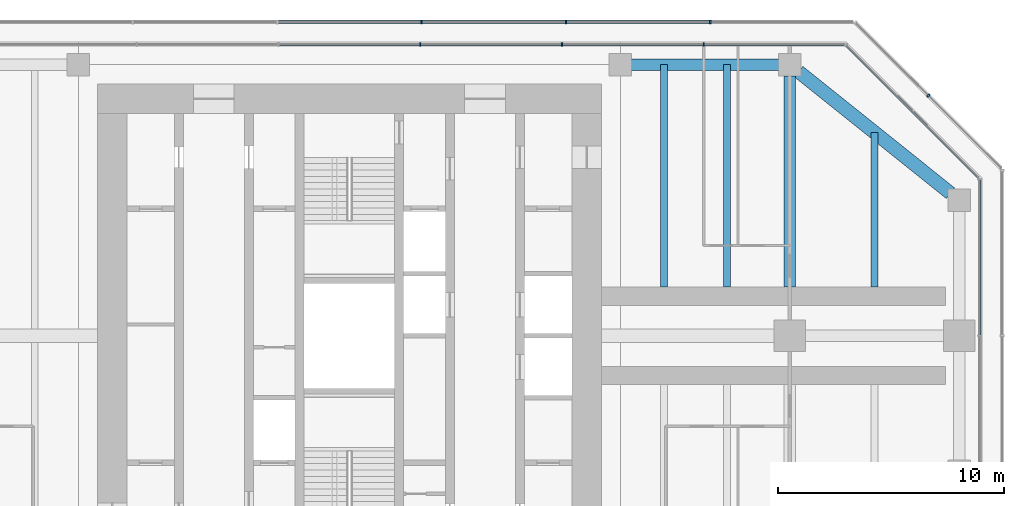
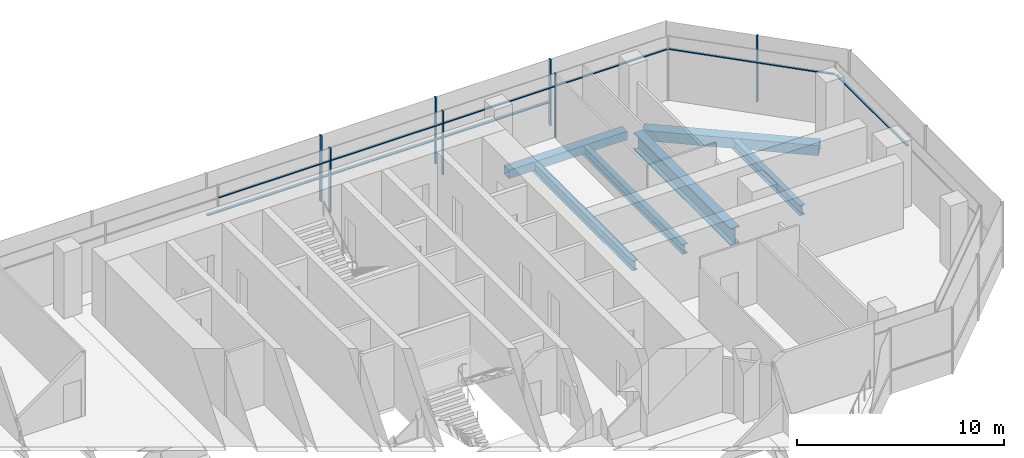
# One storey, part 7 of 16: 16 members, 6 beams, 5 elements without a shape of their own.
"""IFC4 building model written with IfcOpenShell, lengths in metres."""

from ifc_helpers import new_model, si_unit, direction, frame, origin, origin_2d, place, context, subcontext, project, spatial, rectangle, hollow_rectangle, i_section, extrude, material, material_profile, profile_set, type_object, element, aggregate, save


model = new_model("IFC4")

# Units and contexts
model_context = context("Model", 3, precision=1e-05, world=origin(), true_north=direction((0.0, 1.0)))
body_context = subcontext(model_context, "Body", "Model", "MODEL_VIEW")
ifc_project = project(units=[si_unit("LENGTHUNIT", "METRE"), si_unit("AREAUNIT", "SQUARE_METRE"), si_unit("VOLUMEUNIT", "CUBIC_METRE"), si_unit("PLANEANGLEUNIT", "RADIAN"), si_unit("MASSUNIT", "GRAM", prefix="KILO")], contexts=[model_context])

# Site, building, storey
site_placement = place(None, origin())
site = spatial("IfcSite", under=ifc_project, at=site_placement, CompositionType="ELEMENT")
building_placement = place(site_placement, origin())
building = spatial("IfcBuilding", under=site, at=building_placement, Name="Mizan Broadcast Tower", CompositionType="ELEMENT")
storey_placement = place(building_placement, frame((0.0, 0.0, 290.699951171875)))
storey = spatial("IfcBuildingStorey", under=building, at=storey_placement, Name="L69", CompositionType="ELEMENT", Elevation=290.699951171875)

# Beams
ifc_material_1 = material(Name="Steel S355", Category="steel")
ifc_material_profile_1 = material_profile(ifc_material_1, hollow_rectangle(XDim=0.5, YDim=0.5, WallThickness=0.030029296875, at=origin_2d()), Name="BOX 500x500x30")
ifc_profile_set_1 = profile_set([ifc_material_profile_1], Name="Steel S355")
beam_type_1 = type_object("IfcBeamType", Name="EDGE BEAM BOX 500x500x30", PredefinedType="SPANDREL", material=ifc_profile_set_1)
beam_1_placement = place(storey_placement, frame((12.449951171875, 12.0, -0.3798828125), z_axis=(1.0, 0.0, 0.0), x_axis=(0.0, 1.0, 0.0)))
element("IfcBeam", 1, at=beam_1_placement, inside=storey, type_object=beam_type_1, Name="Edge beam BOX 500x500x30 L69 east arm", PredefinedType="SPANDREL", context=body_context, shape_type="SweptSolid", body=[
    extrude(hollow_rectangle(XDim=0.5, YDim=0.5, WallThickness=0.030029296875, at=origin_2d()), origin(), (0.0, 0.0, 1.0), 6.60009765625),
])
ifc_material_2 = material(Name="Steel S355", Category="steel")
ifc_material_profile_2 = material_profile(ifc_material_2, hollow_rectangle(XDim=0.60009765625, YDim=0.60009765625, WallThickness=0.030029296875, at=origin_2d()), Name="BOX 600x600x30")
ifc_profile_set_2 = profile_set([ifc_material_profile_2], Name="Steel S355")
beam_type_2 = type_object("IfcBeamType", Name="EDGE BEAM BOX 600x600x30", PredefinedType="SPANDREL", material=ifc_profile_set_2)
beam_2_placement = place(storey_placement, frame((19.890380859375, 11.687744140625, -0.429931640625), z_axis=(0.780863273348, -0.62470196761, 0.0), x_axis=(0.62470196761, 0.780863273348, 0.0)))
element("IfcBeam", 2, at=beam_2_placement, inside=storey, type_object=beam_type_2, Name="Edge beam BOX 600x600x30 L69 east arm", PredefinedType="SPANDREL", context=body_context, shape_type="SweptSolid", body=[
    extrude(hollow_rectangle(XDim=0.60009765625, YDim=0.60009765625, WallThickness=0.030029296875, at=origin_2d()), origin(), (0.0, 0.0, 1.0), 8.60498046875),
])
ifc_material_3 = material(Name="Steel S460", Category="steel")
ifc_material_profile_3 = material_profile(ifc_material_3, i_section(OverallWidth=0.5, OverallDepth=1.0, WebThickness=0.02490234375, FlangeThickness=0.050048828125, at=origin_2d()), Name="WPG 1000x500")
ifc_profile_set_3 = profile_set([ifc_material_profile_3], Name="Steel S460")
beam_type_3 = type_object("IfcBeamType", Name="GIRDER WPG 1000x500", PredefinedType="BEAM", material=ifc_profile_set_3)
beam_3_placement = place(storey_placement, frame((19.5, 11.5, -0.6298828125), z_axis=(0.0, -1.0, 0.0), x_axis=(1.0, 0.0, 0.0)))
element("IfcBeam", 3, at=beam_3_placement, inside=storey, type_object=beam_type_3, Name="Girder WPG 1000x500 L69 east arm", PredefinedType="BEAM", context=body_context, shape_type="SweptSolid", body=[
    extrude(i_section(OverallWidth=0.5, OverallDepth=1.0, WebThickness=0.02490234375, FlangeThickness=0.050048828125, at=origin_2d()), origin(), (0.0, 0.0, 1.0), 9.35009765625),
])

# Curtain wall, members
ifc_material_4 = material(Name="Aluminium framed glazing", Category="aluminium")
curtain_wall_type_1 = type_object("IfcCurtainWallType", Name="INNER SKIN TOP ZONE", PredefinedType="USERDEFINED", material=ifc_material_4)
curtain_wall_1_placement = place(storey_placement, origin())
curtain_wall_1 = element("IfcCurtainWall", 4, at=curtain_wall_1_placement, inside=storey, type_object=curtain_wall_type_1, Name="Inner skin top zone L69 N end", ObjectType="INNER SKIN TOP ZONE", PredefinedType="USERDEFINED")
ifc_material_5 = material(Name="Aluminium, pale anodised", Category="aluminium")
ifc_material_profile_4 = material_profile(ifc_material_5, rectangle(XDim=0.159912109375, YDim=0.06005859375, at=origin_2d()), Name="MULLION 160x60")
ifc_profile_set_4 = profile_set([ifc_material_profile_4], Name="Aluminium, pale anodised")
member_type_1 = type_object("IfcMemberType", Name="INNER SKIN MULLION 60x160", PredefinedType="MULLION", material=ifc_profile_set_4)
member_1_placement = place(storey_placement, frame((15.684814453125, 12.89990234375, 0.0), z_axis=(0.0, 0.0, 1.0), x_axis=(0.0, -1.0, 0.0)))
member_1 = element("IfcMember", 5, at=member_1_placement, type_object=member_type_1, Name="Inner skin top zone L69 N end mullion 2", PredefinedType="MULLION", context=body_context, shape_type="SweptSolid", body=[
    extrude(rectangle(XDim=0.159912109375, YDim=0.06005859375, at=origin_2d()), origin(), (0.0, 0.0, 1.0), 3.77001953125),
])
member_2_placement = place(storey_placement, frame((9.410888671875, 12.89990234375, 0.0), z_axis=(0.0, 0.0, 1.0), x_axis=(0.0, -1.0, 0.0)))
member_2 = element("IfcMember", 6, at=member_2_placement, type_object=member_type_1, Name="Inner skin top zone L69 N end mullion 3", PredefinedType="MULLION", context=body_context, shape_type="SweptSolid", body=[
    extrude(rectangle(XDim=0.159912109375, YDim=0.06005859375, at=origin_2d()), origin(), (0.0, 0.0, 1.0), 3.77001953125),
])
member_3_placement = place(storey_placement, frame((3.136962890625, 12.89990234375, 0.0), z_axis=(0.0, 0.0, 1.0), x_axis=(0.0, -1.0, 0.0)))
member_3 = element("IfcMember", 7, at=member_3_placement, type_object=member_type_1, Name="Inner skin top zone L69 N end mullion 4", PredefinedType="MULLION", context=body_context, shape_type="SweptSolid", body=[
    extrude(rectangle(XDim=0.159912109375, YDim=0.06005859375, at=origin_2d()), origin(), (0.0, 0.0, 1.0), 3.77001953125),
])

# Curtain wall, member
curtain_wall_2_placement = place(storey_placement, origin())
curtain_wall_2 = element("IfcCurtainWall", 8, at=curtain_wall_2_placement, inside=storey, type_object=curtain_wall_type_1, Name="Inner skin top zone L69 E end", ObjectType="INNER SKIN TOP ZONE", PredefinedType="USERDEFINED")
ifc_material_6 = material(Name="Aluminium, pale anodised", Category="aluminium")
ifc_material_profile_5 = material_profile(ifc_material_6, rectangle(XDim=0.1201171875, YDim=0.06005859375, at=origin_2d()), Name="TRANSOM 120x60")
ifc_profile_set_5 = profile_set([ifc_material_profile_5], Name="Aluminium, pale anodised")
member_type_2 = type_object("IfcMemberType", Name="INNER SKIN TRANSOM 60x120", PredefinedType="USERDEFINED", material=ifc_profile_set_5)
member_4_placement = place(storey_placement, frame((27.89990234375, 0.030029296875, 3.030029296875), z_axis=(0.0, 1.0, 0.0), x_axis=(-1.0, 0.0, 0.0)))
member_4 = element("IfcMember", 9, at=member_4_placement, type_object=member_type_2, Name="Inner skin top zone L69 E end transom 2.1", ObjectType="TRANSOM", PredefinedType="USERDEFINED", context=body_context, shape_type="SweptSolid", body=[
    extrude(rectangle(XDim=0.1201171875, YDim=0.06005859375, at=origin_2d()), origin(), (0.0, 0.0, 1.0), 6.86865234375),
])
aggregate(curtain_wall_2, [member_4])

curtain_wall_3_placement = place(storey_placement, origin())
curtain_wall_3 = element("IfcCurtainWall", 10, at=curtain_wall_3_placement, inside=storey, type_object=curtain_wall_type_1, Name="Inner skin top zone L69 E chamfer", ObjectType="INNER SKIN TOP ZONE", PredefinedType="USERDEFINED")
member_5_placement = place(storey_placement, frame((27.857666015625, 7.0009765625, 3.030029296875), z_axis=(-0.707106781187, 0.707106781187, 0.0), x_axis=(-0.707106781187, -0.707106781187, 0.0)))
member_5 = element("IfcMember", 11, at=member_5_placement, type_object=member_type_2, Name="Inner skin top zone L69 E chamfer transom 1.1", ObjectType="TRANSOM", PredefinedType="USERDEFINED", context=body_context, shape_type="SweptSolid", body=[
    extrude(rectangle(XDim=0.1201171875, YDim=0.06005859375, at=origin_2d()), origin(), (0.0, 0.0, 1.0), 8.28271484375),
])
aggregate(curtain_wall_3, [member_5])

# Member
member_6_placement = place(storey_placement, frame((21.898681640625, 12.89990234375, 3.030029296875), z_axis=(-1.0, 0.0, 0.0), x_axis=(0.0, -1.0, 0.0)))
member_6 = element("IfcMember", 12, at=member_6_placement, type_object=member_type_2, Name="Inner skin top zone L69 N end transom 1.1", ObjectType="TRANSOM", PredefinedType="USERDEFINED", context=body_context, shape_type="SweptSolid", body=[
    extrude(rectangle(XDim=0.1201171875, YDim=0.06005859375, at=origin_2d()), origin(), (0.0, 0.0, 1.0), 6.18408203125),
])

member_7_placement = place(storey_placement, frame((15.65478515625, 12.89990234375, 3.030029296875), z_axis=(-1.0, 0.0, 0.0), x_axis=(0.0, -1.0, 0.0)))
member_7 = element("IfcMember", 13, at=member_7_placement, type_object=member_type_2, Name="Inner skin top zone L69 N end transom 2.1", ObjectType="TRANSOM", PredefinedType="USERDEFINED", context=body_context, shape_type="SweptSolid", body=[
    extrude(rectangle(XDim=0.1201171875, YDim=0.06005859375, at=origin_2d()), origin(), (0.0, 0.0, 1.0), 6.2138671875),
])

member_8_placement = place(storey_placement, frame((9.380859375, 12.89990234375, 3.030029296875), z_axis=(-1.0, 0.0, 0.0), x_axis=(0.0, -1.0, 0.0)))
member_8 = element("IfcMember", 14, at=member_8_placement, type_object=member_type_2, Name="Inner skin top zone L69 N end transom 3.1", ObjectType="TRANSOM", PredefinedType="USERDEFINED", context=body_context, shape_type="SweptSolid", body=[
    extrude(rectangle(XDim=0.1201171875, YDim=0.06005859375, at=origin_2d()), origin(), (0.0, 0.0, 1.0), 6.2138671875),
])

member_9_placement = place(storey_placement, frame((3.10693359375, 12.89990234375, 3.030029296875), z_axis=(-1.0, 0.0, 0.0), x_axis=(0.0, -1.0, 0.0)))
member_9 = element("IfcMember", 15, at=member_9_placement, type_object=member_type_2, Name="Inner skin top zone L69 N end transom 4.1", ObjectType="TRANSOM", PredefinedType="USERDEFINED", context=body_context, shape_type="SweptSolid", body=[
    extrude(rectangle(XDim=0.1201171875, YDim=0.06005859375, at=origin_2d()), origin(), (0.0, 0.0, 1.0), 6.2138671875),
])

aggregate(curtain_wall_1, [member_1, member_2, member_3, member_6, member_7, member_8, member_9])

# Curtain wall, member
ifc_material_7 = material(Name="Aluminium framed glazing", Category="aluminium")
curtain_wall_type_2 = type_object("IfcCurtainWallType", Name="OUTER SKIN", PredefinedType="USERDEFINED", material=ifc_material_7)
curtain_wall_4_placement = place(storey_placement, origin())
curtain_wall_4 = element("IfcCurtainWall", 16, at=curtain_wall_4_placement, inside=storey, type_object=curtain_wall_type_2, Name="Outer skin L69 E chamfer", ObjectType="OUTER SKIN", PredefinedType="USERDEFINED")
ifc_material_8 = material(Name="Aluminium, pale anodised", Category="aluminium")
ifc_material_profile_6 = material_profile(ifc_material_8, rectangle(XDim=0.159912109375, YDim=0.080078125, at=origin_2d()), Name="MULLION 160x80")
ifc_profile_set_6 = profile_set([ifc_material_profile_6], Name="Aluminium, pale anodised")
member_type_3 = type_object("IfcMemberType", Name="OUTER SKIN MULLION 80x160", PredefinedType="MULLION", material=ifc_profile_set_6)
member_10_placement = place(storey_placement, frame((25.636474609375, 10.636474609375, 0.0), z_axis=(0.0, 0.0, 1.0), x_axis=(-0.707106781187, -0.707106781187, 0.0)))
member_10 = element("IfcMember", 17, at=member_10_placement, type_object=member_type_3, Name="Outer skin L69 E chamfer mullion 2", PredefinedType="MULLION", context=body_context, shape_type="SweptSolid", body=[
    extrude(rectangle(XDim=0.159912109375, YDim=0.080078125, at=origin_2d()), origin(), (0.0, 0.0, 1.0), 3.900146484375),
])
aggregate(curtain_wall_4, [member_10])

# Curtain wall, members
curtain_wall_5_placement = place(storey_placement, origin())
curtain_wall_5 = element("IfcCurtainWall", 18, at=curtain_wall_5_placement, inside=storey, type_object=curtain_wall_type_2, Name="Outer skin L69 N end", ObjectType="OUTER SKIN", PredefinedType="USERDEFINED")
member_11_placement = place(storey_placement, frame((15.98046875, 13.89990234375, 0.0), z_axis=(0.0, 0.0, 1.0), x_axis=(0.0, -1.0, 0.0)))
member_11 = element("IfcMember", 19, at=member_11_placement, type_object=member_type_3, Name="Outer skin L69 N end mullion 2", PredefinedType="MULLION", context=body_context, shape_type="SweptSolid", body=[
    extrude(rectangle(XDim=0.159912109375, YDim=0.080078125, at=origin_2d()), origin(), (0.0, 0.0, 1.0), 3.900146484375),
])
member_12_placement = place(storey_placement, frame((9.58837890625, 13.89990234375, 0.0), z_axis=(0.0, 0.0, 1.0), x_axis=(0.0, -1.0, 0.0)))
member_12 = element("IfcMember", 20, at=member_12_placement, type_object=member_type_3, Name="Outer skin L69 N end mullion 3", PredefinedType="MULLION", context=body_context, shape_type="SweptSolid", body=[
    extrude(rectangle(XDim=0.159912109375, YDim=0.080078125, at=origin_2d()), origin(), (0.0, 0.0, 1.0), 3.900146484375),
])
member_13_placement = place(storey_placement, frame((3.196044921875, 13.89990234375, 0.0), z_axis=(0.0, 0.0, 1.0), x_axis=(0.0, -1.0, 0.0)))
member_13 = element("IfcMember", 21, at=member_13_placement, type_object=member_type_3, Name="Outer skin L69 N end mullion 4", PredefinedType="MULLION", context=body_context, shape_type="SweptSolid", body=[
    extrude(rectangle(XDim=0.159912109375, YDim=0.080078125, at=origin_2d()), origin(), (0.0, 0.0, 1.0), 3.900146484375),
])
ifc_material_9 = material(Name="Aluminium, pale anodised", Category="aluminium")
ifc_material_profile_7 = material_profile(ifc_material_9, rectangle(XDim=0.159912109375, YDim=0.06005859375, at=origin_2d()), Name="TRANSOM 160x60")
ifc_profile_set_7 = profile_set([ifc_material_profile_7], Name="Aluminium, pale anodised")
member_type_4 = type_object("IfcMemberType", Name="OUTER SKIN TRANSOM 60x160", PredefinedType="USERDEFINED", material=ifc_profile_set_7)
member_14_placement = place(storey_placement, frame((15.940673828125, 13.89990234375, 1.400146484375), z_axis=(-1.0, 0.0, 0.0), x_axis=(0.0, -1.0, 0.0)))
member_14 = element("IfcMember", 22, at=member_14_placement, type_object=member_type_4, Name="Outer skin L69 N end transom 2.1", ObjectType="TRANSOM", PredefinedType="USERDEFINED", context=body_context, shape_type="SweptSolid", body=[
    extrude(rectangle(XDim=0.159912109375, YDim=0.06005859375, at=origin_2d()), origin(), (0.0, 0.0, 1.0), 6.312255859375),
])
member_15_placement = place(storey_placement, frame((9.54833984375, 13.89990234375, 1.400146484375), z_axis=(-1.0, 0.0, 0.0), x_axis=(0.0, -1.0, 0.0)))
member_15 = element("IfcMember", 23, at=member_15_placement, type_object=member_type_4, Name="Outer skin L69 N end transom 3.1", ObjectType="TRANSOM", PredefinedType="USERDEFINED", context=body_context, shape_type="SweptSolid", body=[
    extrude(rectangle(XDim=0.159912109375, YDim=0.06005859375, at=origin_2d()), origin(), (0.0, 0.0, 1.0), 6.312255859375),
])
member_16_placement = place(storey_placement, frame((3.156005859375, 13.89990234375, 1.400146484375), z_axis=(-1.0, 0.0, 0.0), x_axis=(0.0, -1.0, 0.0)))
member_16 = element("IfcMember", 24, at=member_16_placement, type_object=member_type_4, Name="Outer skin L69 N end transom 4.1", ObjectType="TRANSOM", PredefinedType="USERDEFINED", context=body_context, shape_type="SweptSolid", body=[
    extrude(rectangle(XDim=0.159912109375, YDim=0.06005859375, at=origin_2d()), origin(), (0.0, 0.0, 1.0), 6.31201171875),
])
aggregate(curtain_wall_5, [member_11, member_12, member_13, member_14, member_15, member_16])

# Beams
ifc_material_10 = material(Name="Steel S355", Category="steel")
ifc_material_profile_8 = material_profile(ifc_material_10, i_section(OverallWidth=0.300048828125, OverallDepth=0.590087890625, WebThickness=0.012939453125, FlangeThickness=0.02490234375, FilletRadius=0.027099609375, at=origin_2d()), Name="HEA 600")
ifc_profile_set_8 = profile_set([ifc_material_profile_8], Name="Steel S355")
beam_type_4 = type_object("IfcBeamType", Name="SECONDARY BEAM HEA 600", PredefinedType="JOIST", material=ifc_profile_set_8)
for number, where, z_axis, x_axis, name in (
    (25, (13.933349609375, 12.0, -0.425048828125), (0.0, -1.0, 0.0), (1.0, 0.0, 0.0), "Secondary beam HEA 600 L69 east arm"),
    (26, (16.716552734375, 12.0, -0.425048828125), (0.0, -1.0, 0.0), (1.0, 0.0, 0.0), "Secondary beam HEA 600 L69 east arm"),
):
    element("IfcBeam", number, at=place(storey_placement, frame(where, z_axis=z_axis, x_axis=x_axis)), inside=storey, type_object=beam_type_4, Name=name, PredefinedType="JOIST", context=body_context, shape_type="SweptSolid", body=[
        extrude(i_section(OverallWidth=0.300048828125, OverallDepth=0.590087890625, WebThickness=0.012939453125, FlangeThickness=0.02490234375, FilletRadius=0.027099609375, at=origin_2d()), origin(), (0.0, 0.0, 1.0), 9.85009765625),
    ])
beam_4_placement = place(storey_placement, frame((23.25, 9.0, -0.425048828125), z_axis=(0.0, -1.0, 0.0), x_axis=(1.0, 0.0, 0.0)))
element("IfcBeam", 27, at=beam_4_placement, inside=storey, type_object=beam_type_4, Name="Secondary beam HEA 600 L69 east arm", PredefinedType="JOIST", context=body_context, shape_type="SweptSolid", body=[
    extrude(i_section(OverallWidth=0.300048828125, OverallDepth=0.590087890625, WebThickness=0.012939453125, FlangeThickness=0.02490234375, FilletRadius=0.027099609375, at=origin_2d()), origin(), (0.0, 0.0, 1.0), 6.85009765625),
])

save(model, "model.ifc")
